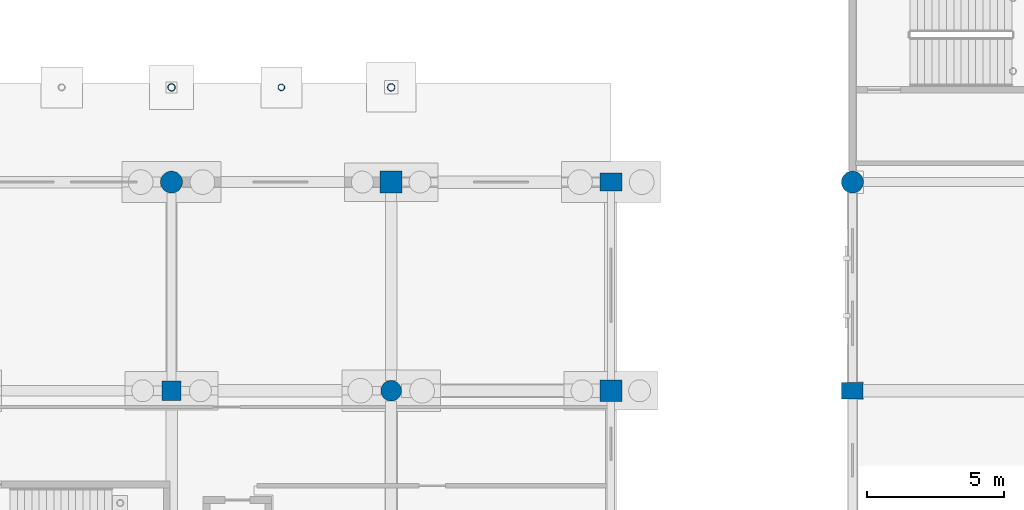
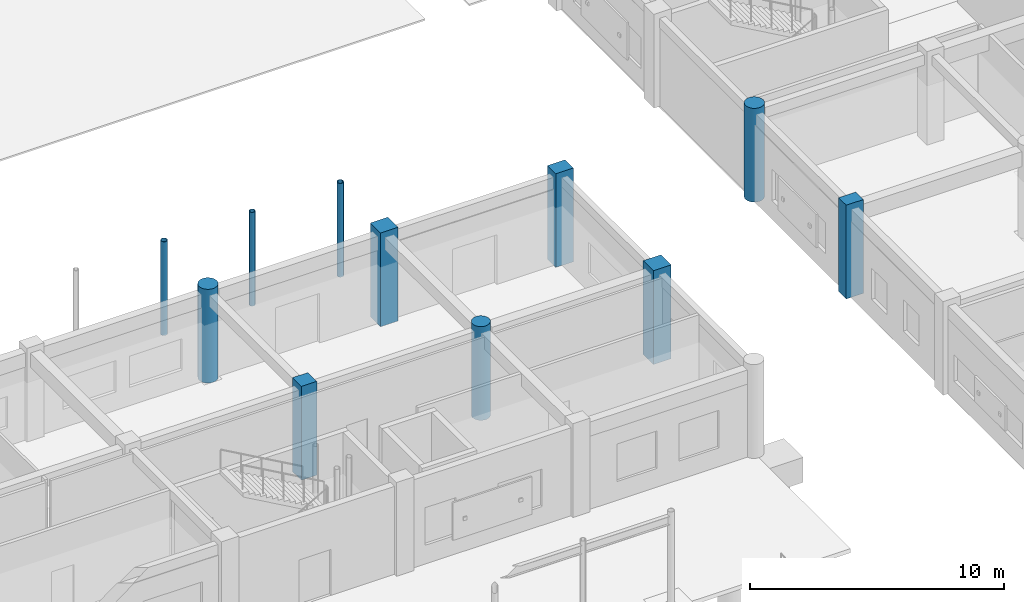
# One storey, part 25 of 166: 11 columns.
"""IFC4 building model written with IfcOpenShell, lengths in metres."""

from ifc_helpers import new_model, si_unit, direction, frame, origin, origin_2d, place, context, subcontext, project, spatial, rectangle, circle, hollow_circle, extrude, material, material_profile, profile_set, type_object, element, save


model = new_model("IFC4")

# Units and contexts
model_context = context("Model", 3, precision=1e-05, world=origin(), true_north=direction((0.0, 1.0)))
body_context = subcontext(model_context, "Body", "Model", "MODEL_VIEW")
ifc_project = project(units=[si_unit("LENGTHUNIT", "METRE"), si_unit("AREAUNIT", "SQUARE_METRE"), si_unit("VOLUMEUNIT", "CUBIC_METRE"), si_unit("PLANEANGLEUNIT", "RADIAN"), si_unit("MASSUNIT", "GRAM", prefix="KILO")], contexts=[model_context])

# Site, building, storey
site_placement = place(None, origin())
site = spatial("IfcSite", under=ifc_project, at=site_placement, CompositionType="ELEMENT")
building_placement = place(site_placement, origin())
building = spatial("IfcBuilding", under=site, at=building_placement, Name="Kharva Crest Polytechnic", CompositionType="ELEMENT")
storey_placement = place(building_placement, origin())
storey = spatial("IfcBuildingStorey", under=building, at=storey_placement, Name="L00", CompositionType="ELEMENT", Elevation=0.0)

# Columns
ifc_material_1 = material(Name="Concrete C40/50", Category="concrete")
ifc_material_profile_1 = material_profile(ifc_material_1, rectangle(XDim=0.780029296875, YDim=0.60009765625, at=origin_2d()), Name="RECT 780 X 600")
ifc_profile_set_1 = profile_set([ifc_material_profile_1], Name="Concrete C40/50")
column_type_1 = type_object("IfcColumnType", Name="COL-EXT-780X600", PredefinedType="COLUMN", material=ifc_profile_set_1)
column_1_placement = place(storey_placement, frame((120.800048828125, 15.199951171875, 0.0), z_axis=(0.0, 0.0, 1.0), x_axis=(1.0, 0.0, 0.0)))
element("IfcColumn", 1, at=column_1_placement, inside=storey, type_object=column_type_1, Name="L00 Column 16J/C", PredefinedType="COLUMN", context=body_context, shape_type="SweptSolid", body=[
    extrude(rectangle(XDim=0.780029296875, YDim=0.60009765625, at=origin_2d()), origin(), (0.0, 0.0, 1.0), 4.5),
])
ifc_material_profile_2 = material_profile(ifc_material_1, rectangle(XDim=0.800048828125, YDim=0.64990234375, at=origin_2d()), Name="RECT 800 X 650")
ifc_profile_set_2 = profile_set([ifc_material_profile_2], Name="Concrete C40/50")
column_type_2 = type_object("IfcColumnType", Name="COL-EXT-800X650", PredefinedType="COLUMN", material=ifc_profile_set_2)
column_2_placement = place(storey_placement, frame((112.0, 22.800048828125, 0.0), z_axis=(0.0, 0.0, 1.0), x_axis=(1.0, 0.0, 0.0)))
element("IfcColumn", 2, at=column_2_placement, inside=storey, type_object=column_type_2, Name="L00 Column 15/D", PredefinedType="COLUMN", context=body_context, shape_type="SweptSolid", body=[
    extrude(rectangle(XDim=0.800048828125, YDim=0.64990234375, at=origin_2d()), origin(), (0.0, 0.0, 1.0), 4.5),
])
ifc_material_profile_3 = material_profile(ifc_material_1, rectangle(XDim=0.800048828125, YDim=0.800048828125, at=origin_2d()), Name="RECT 800 X 800")
ifc_profile_set_3 = profile_set([ifc_material_profile_3], Name="Concrete C40/50")
column_type_3 = type_object("IfcColumnType", Name="COL-EXT-800X800", PredefinedType="COLUMN", material=ifc_profile_set_3)
for number, where, z_axis, x_axis, name in (
    (3, (104.0, 22.800048828125, 0.0), (0.0, 0.0, 1.0), (1.0, 0.0, 0.0), "L00 Column 14/D"),
    (4, (112.0, 15.199951171875, 0.0), (0.0, 0.0, 1.0), (1.0, 0.0, 0.0), "L00 Column 15/C"),
):
    element("IfcColumn", number, at=place(storey_placement, frame(where, z_axis=z_axis, x_axis=x_axis)), inside=storey, type_object=column_type_3, Name=name, PredefinedType="COLUMN", context=body_context, shape_type="SweptSolid", body=[
        extrude(rectangle(XDim=0.800048828125, YDim=0.800048828125, at=origin_2d()), origin(), (0.0, 0.0, 1.0), 4.5),
    ])
ifc_material_profile_4 = material_profile(ifc_material_1, circle(Radius=0.39990234375, at=origin_2d()), Name="DIA 800")
ifc_profile_set_4 = profile_set([ifc_material_profile_4], Name="Concrete C40/50")
column_type_4 = type_object("IfcColumnType", Name="COL-EXT-DIA800", PredefinedType="COLUMN", material=ifc_profile_set_4)
for number, where, z_axis, x_axis, name in (
    (5, (96.0, 22.800048828125, 0.0), (0.0, 0.0, 1.0), (1.0, 0.0, 0.0), "L00 Column 13/D"),
    (6, (120.800048828125, 22.800048828125, 0.0), (0.0, 0.0, 1.0), (1.0, 0.0, 0.0), "L00 Column 16J/D"),
):
    element("IfcColumn", number, at=place(storey_placement, frame(where, z_axis=z_axis, x_axis=x_axis)), inside=storey, type_object=column_type_4, Name=name, PredefinedType="COLUMN", context=body_context, shape_type="SweptSolid", body=[
        extrude(circle(Radius=0.39990234375, at=origin_2d()), origin(), (0.0, 0.0, 1.0), 4.5),
    ])
ifc_material_profile_5 = material_profile(ifc_material_1, rectangle(XDim=0.699951171875, YDim=0.699951171875, at=origin_2d()), Name="RECT 700 X 700")
ifc_profile_set_5 = profile_set([ifc_material_profile_5], Name="Concrete C40/50")
column_type_5 = type_object("IfcColumnType", Name="COL-INT-700X700", PredefinedType="COLUMN", material=ifc_profile_set_5)
column_3_placement = place(storey_placement, frame((96.0, 15.199951171875, 0.0), z_axis=(0.0, 0.0, 1.0), x_axis=(1.0, 0.0, 0.0)))
element("IfcColumn", 7, at=column_3_placement, inside=storey, type_object=column_type_5, Name="L00 Column 13/C", PredefinedType="COLUMN", context=body_context, shape_type="SweptSolid", body=[
    extrude(rectangle(XDim=0.699951171875, YDim=0.699951171875, at=origin_2d()), origin(), (0.0, 0.0, 1.0), 4.5),
])
ifc_material_profile_6 = material_profile(ifc_material_1, circle(Radius=0.375, at=origin_2d()), Name="DIA 750")
ifc_profile_set_6 = profile_set([ifc_material_profile_6], Name="Concrete C40/50")
column_type_6 = type_object("IfcColumnType", Name="COL-INT-DIA750", PredefinedType="COLUMN", material=ifc_profile_set_6)
column_4_placement = place(storey_placement, frame((104.0, 15.199951171875, 0.0), z_axis=(0.0, 0.0, 1.0), x_axis=(1.0, 0.0, 0.0)))
element("IfcColumn", 8, at=column_4_placement, inside=storey, type_object=column_type_6, Name="L00 Column 14/C", PredefinedType="COLUMN", context=body_context, shape_type="SweptSolid", body=[
    extrude(circle(Radius=0.375, at=origin_2d()), origin(), (0.0, 0.0, 1.0), 4.5),
])
ifc_material_2 = material(Name="Steel S355", Category="steel")
ifc_material_profile_7 = material_profile(ifc_material_2, hollow_circle(Radius=0.122314453125, WallThickness=0.010009765625, at=origin_2d()), Name="CHS 244.5X10.0")
ifc_profile_set_7 = profile_set([ifc_material_profile_7], Name="Steel S355")
column_type_7 = type_object("IfcColumnType", Name="COL-STL-CHS244", PredefinedType="COLUMN", material=ifc_profile_set_7)
column_5_placement = place(storey_placement, frame((100.0, 26.25, 0.0), z_axis=(0.0, 0.0, 1.0), x_axis=(1.0, 0.0, 0.0)))
element("IfcColumn", 9, at=column_5_placement, inside=storey, type_object=column_type_7, Name="L00 Colonnade Mid Column VSM05", PredefinedType="COLUMN", context=body_context, shape_type="SweptSolid", body=[
    extrude(hollow_circle(Radius=0.122314453125, WallThickness=0.010009765625, at=origin_2d()), origin(), (0.0, 0.0, 1.0), 4.5),
])
ifc_material_profile_8 = material_profile(ifc_material_2, hollow_circle(Radius=0.136474609375, WallThickness=0.012451171875, at=origin_2d()), Name="CHS 273.0X12.5")
ifc_profile_set_8 = profile_set([ifc_material_profile_8], Name="Steel S355")
column_type_8 = type_object("IfcColumnType", Name="COL-STL-CHS273", PredefinedType="COLUMN", material=ifc_profile_set_8)
for number, where, z_axis, x_axis, name in (
    (10, (96.0, 26.25, 0.0), (0.0, 0.0, 1.0), (1.0, 0.0, 0.0), "L00 Colonnade Column VS05"),
    (11, (104.0, 26.25, 0.0), (0.0, 0.0, 1.0), (1.0, 0.0, 0.0), "L00 Colonnade Column VS06"),
):
    element("IfcColumn", number, at=place(storey_placement, frame(where, z_axis=z_axis, x_axis=x_axis)), inside=storey, type_object=column_type_8, Name=name, PredefinedType="COLUMN", context=body_context, shape_type="SweptSolid", body=[
        extrude(hollow_circle(Radius=0.136474609375, WallThickness=0.012451171875, at=origin_2d()), origin(), (0.0, 0.0, 1.0), 4.5),
    ])

save(model, "model.ifc")
